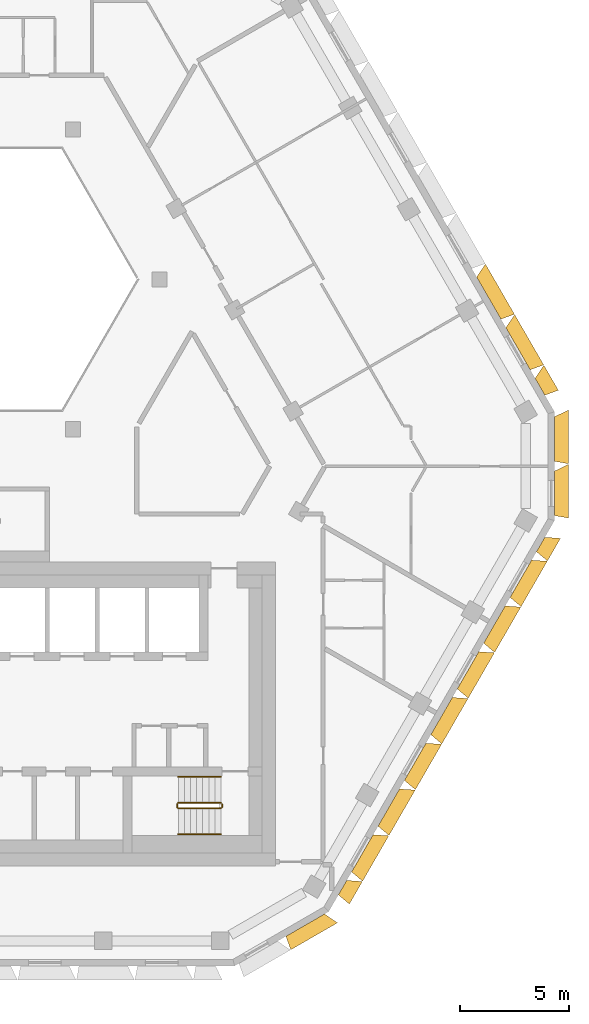
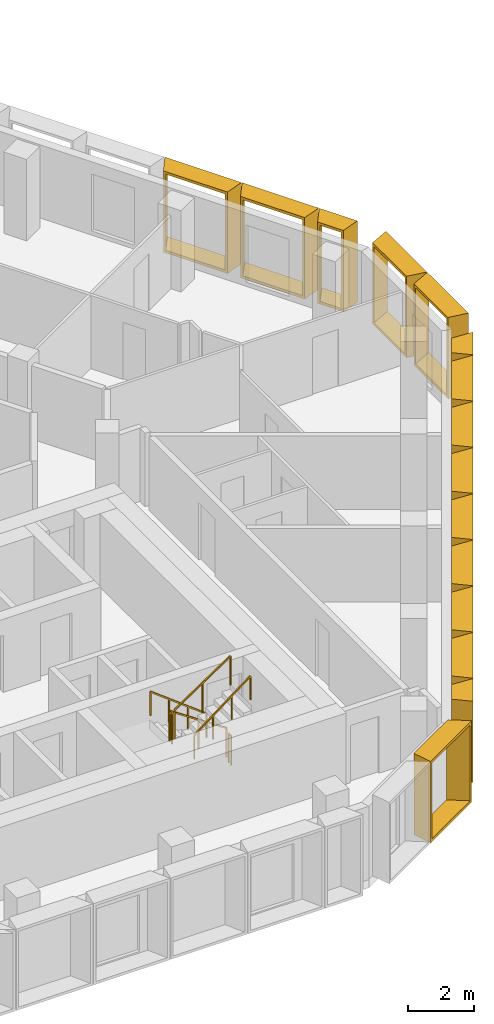
# One storey, part 14 of 15: 15 shading devices, 6 railings.
"""IFC4 building model written with IfcOpenShell, lengths in metres."""

from ifc_helpers import new_model, entity, si_unit, direction, frame, origin, origin_2d, place, context, subcontext, project, spatial, rectangle, extrude, source, transform, mapped, material, type_object, type_shapes, element, save


model = new_model("IFC4")

# Units and contexts
model_context = context("Model", 3, precision=1e-05, world=origin(), true_north=direction((0.0, 1.0)))
body_context = subcontext(model_context, "Body", "Model", "MODEL_VIEW")
ifc_project = project(units=[si_unit("LENGTHUNIT", "METRE"), si_unit("AREAUNIT", "SQUARE_METRE"), si_unit("VOLUMEUNIT", "CUBIC_METRE"), si_unit("PLANEANGLEUNIT", "RADIAN"), si_unit("MASSUNIT", "GRAM", prefix="KILO")], contexts=[model_context])

# Site, building, storey
site_placement = place(None, origin())
site = spatial("IfcSite", under=ifc_project, at=site_placement, CompositionType="ELEMENT")
building_placement = place(site_placement, origin())
building = spatial("IfcBuilding", under=site, at=building_placement, Name="Beryl Residences", CompositionType="ELEMENT")
storey_placement = place(building_placement, frame((0.0, 0.0, 175.199951171875)))
storey = spatial("IfcBuildingStorey", under=building, at=storey_placement, Name="L53", CompositionType="ELEMENT", Elevation=175.199951171875)

# Shading devices
ifc_material_1 = material(Name="Aluminium pale anodised", Category="aluminium")
shading_device_type_1 = type_object("IfcShadingDeviceType", Name="FR122-65C OUTER SKIN frame 650 mm deep, splay 10/26 deg, 1220 x 3000 mm cell", PredefinedType="USERDEFINED", material=ifc_material_1)
cartesian_point_1 = entity("IfcCartesianPoint", [-0.384033203125, 0.0])
cartesian_point_2 = entity("IfcCartesianPoint", [-0.302734375, 0.10009765625])
cartesian_point_3 = entity("IfcCartesianPoint", [-0.49853515625, 0.0])
cartesian_point_4 = entity("IfcCartesianPoint", [-0.41748046875, 0.10009765625])
shared_shape_1 = source(origin(), body_context, "Body", "SweptSolid", [
    entity("IfcExtrudedAreaSolidTapered", entity("IfcArbitraryProfileDefWithVoids", "AREA", None, entity("IfcPolyline", [cartesian_point_1, entity("IfcCartesianPoint", [0.384033203125, 0.0]), entity("IfcCartesianPoint", [0.384033203125, 3.0]), entity("IfcCartesianPoint", [-0.384033203125, 3.0]), cartesian_point_1]), [entity("IfcPolyline", [cartesian_point_2, entity("IfcCartesianPoint", [0.294921875, 0.10009765625]), entity("IfcCartesianPoint", [0.294921875, 2.89990234375]), entity("IfcCartesianPoint", [-0.302734375, 2.89990234375]), cartesian_point_2])]), entity("IfcAxis2Placement3D", entity("IfcCartesianPoint", [0.0, 0.0, 0.0]), entity("IfcDirection", [0.0, 1.0, 0.0]), entity("IfcDirection", [-1.0, 0.0, 0.0])), entity("IfcDirection", [0.0, 0.0, 1.0]), 0.64990234375, entity("IfcArbitraryProfileDefWithVoids", "AREA", None, entity("IfcPolyline", [cartesian_point_3, entity("IfcCartesianPoint", [0.700927734375, 0.0]), entity("IfcCartesianPoint", [0.700927734375, 3.0]), entity("IfcCartesianPoint", [-0.49853515625, 3.0]), cartesian_point_3]), [entity("IfcPolyline", [cartesian_point_4, entity("IfcCartesianPoint", [0.612060546875, 0.10009765625]), entity("IfcCartesianPoint", [0.612060546875, 2.89990234375]), entity("IfcCartesianPoint", [-0.41748046875, 2.89990234375]), cartesian_point_4])])),
])
type_shapes(shading_device_type_1, [shared_shape_1])
for number, where, z_axis, x_axis, name in (
    (1, (16.39697265625, -19.9990234375, 0.0), (0.0, 0.0, 1.0), (-0.5, -0.866025403784, 0.0), "FR122-65C frame L53 SE 1"),
    (2, (25.51611328125, -4.202880859375, 0.0), (0.0, 0.0, 1.0), (-0.5, -0.866025403784, 0.0), "FR122-65C frame L53 SE 9"),
):
    element("IfcShadingDevice", number, at=place(storey_placement, frame(where, z_axis=z_axis, x_axis=x_axis)), inside=storey, type_object=shading_device_type_1, Name=name, ObjectType="OUTER SKIN", PredefinedType="USERDEFINED", context=body_context, shape_type="MappedRepresentation", body=[
        mapped(shared_shape_1, transform((0.0, 0.0, 0.0))),
    ])
ifc_material_2 = material(Name="Aluminium pale anodised", Category="aluminium")
shading_device_type_2 = type_object("IfcShadingDeviceType", Name="FR135-65C OUTER SKIN frame 650 mm deep, splay 10/26 deg, 1350 x 3000 mm cell", PredefinedType="USERDEFINED", material=ifc_material_2)
cartesian_point_5 = entity("IfcCartesianPoint", [-0.448974609375, 0.0])
cartesian_point_6 = entity("IfcCartesianPoint", [-0.36767578125, 0.10009765625])
cartesian_point_7 = entity("IfcCartesianPoint", [-0.563720703125, 0.0])
cartesian_point_8 = entity("IfcCartesianPoint", [-0.482421875, 0.10009765625])
shared_shape_2 = source(origin(), body_context, "Body", "SweptSolid", [
    entity("IfcExtrudedAreaSolidTapered", entity("IfcArbitraryProfileDefWithVoids", "AREA", None, entity("IfcPolyline", [cartesian_point_5, entity("IfcCartesianPoint", [0.448974609375, 0.0]), entity("IfcCartesianPoint", [0.448974609375, 3.0]), entity("IfcCartesianPoint", [-0.448974609375, 3.0]), cartesian_point_5]), [entity("IfcPolyline", [cartesian_point_6, entity("IfcCartesianPoint", [0.360107421875, 0.10009765625]), entity("IfcCartesianPoint", [0.360107421875, 2.89990234375]), entity("IfcCartesianPoint", [-0.36767578125, 2.89990234375]), cartesian_point_6])]), entity("IfcAxis2Placement3D", entity("IfcCartesianPoint", [0.0, 0.0, 0.0]), entity("IfcDirection", [0.0, 1.0, 0.0]), entity("IfcDirection", [-1.0, 0.0, 0.0])), entity("IfcDirection", [0.0, 0.0, 1.0]), 0.64990234375, entity("IfcArbitraryProfileDefWithVoids", "AREA", None, entity("IfcPolyline", [cartesian_point_7, entity("IfcCartesianPoint", [0.76611328125, 0.0]), entity("IfcCartesianPoint", [0.76611328125, 3.0]), entity("IfcCartesianPoint", [-0.563720703125, 3.0]), cartesian_point_7]), [entity("IfcPolyline", [cartesian_point_8, entity("IfcCartesianPoint", [0.677001953125, 0.10009765625]), entity("IfcCartesianPoint", [0.677001953125, 2.89990234375]), entity("IfcCartesianPoint", [-0.482421875, 2.89990234375]), cartesian_point_8])])),
])
type_shapes(shading_device_type_2, [shared_shape_2])
shading_device_placement = place(storey_placement, frame((25.485107421875, 3.056884765625, 0.0), z_axis=(0.0, 0.0, 1.0), x_axis=(0.5, -0.866025403784, 0.0)))
element("IfcShadingDevice", 3, at=shading_device_placement, inside=storey, type_object=shading_device_type_2, Name="FR135-65C frame L53 NE 1", ObjectType="OUTER SKIN", PredefinedType="USERDEFINED", context=body_context, shape_type="MappedRepresentation", body=[
    mapped(shared_shape_2, transform((0.0, 0.0, 0.0))),
])
ifc_material_3 = material(Name="Aluminium pale anodised", Category="aluminium")
shading_device_type_3 = type_object("IfcShadingDeviceType", Name="FR243-65C OUTER SKIN frame 650 mm deep, splay 10/26 deg, 2430 x 3000 mm cell", PredefinedType="USERDEFINED", material=ifc_material_3)
cartesian_point_9 = entity("IfcCartesianPoint", [-0.989013671875, 0.0])
cartesian_point_10 = entity("IfcCartesianPoint", [-0.90771484375, 0.10009765625])
cartesian_point_11 = entity("IfcCartesianPoint", [-1.103515625, 0.0])
cartesian_point_12 = entity("IfcCartesianPoint", [-1.0224609375, 0.10009765625])
shared_shape_3 = source(origin(), body_context, "Body", "SweptSolid", [
    entity("IfcExtrudedAreaSolidTapered", entity("IfcArbitraryProfileDefWithVoids", "AREA", None, entity("IfcPolyline", [cartesian_point_9, entity("IfcCartesianPoint", [0.989013671875, 0.0]), entity("IfcCartesianPoint", [0.989013671875, 3.0]), entity("IfcCartesianPoint", [-0.989013671875, 3.0]), cartesian_point_9]), [entity("IfcPolyline", [cartesian_point_10, entity("IfcCartesianPoint", [0.89990234375, 0.10009765625]), entity("IfcCartesianPoint", [0.89990234375, 2.89990234375]), entity("IfcCartesianPoint", [-0.90771484375, 2.89990234375]), cartesian_point_10])]), entity("IfcAxis2Placement3D", entity("IfcCartesianPoint", [0.0, 0.0, 0.0]), entity("IfcDirection", [0.0, 1.0, 0.0]), entity("IfcDirection", [-1.0, 0.0, 0.0])), entity("IfcDirection", [0.0, 0.0, 1.0]), 0.64990234375, entity("IfcArbitraryProfileDefWithVoids", "AREA", None, entity("IfcPolyline", [cartesian_point_11, entity("IfcCartesianPoint", [1.305908203125, 0.0]), entity("IfcCartesianPoint", [1.305908203125, 3.0]), entity("IfcCartesianPoint", [-1.103515625, 3.0]), cartesian_point_11]), [entity("IfcPolyline", [cartesian_point_12, entity("IfcCartesianPoint", [1.217041015625, 0.10009765625]), entity("IfcCartesianPoint", [1.217041015625, 2.89990234375]), entity("IfcCartesianPoint", [-1.0224609375, 2.89990234375]), cartesian_point_12])])),
])
type_shapes(shading_device_type_3, [shared_shape_3])
for number, where, z_axis, x_axis, name in (
    (4, (17.30908203125, -18.4189453125, 0.0), (0.0, 0.0, 1.0), (-0.5, -0.866025403784, 0.0), "FR243-65C frame L53 SE 2"),
    (5, (18.52490234375, -16.31298828125, 0.0), (0.0, 0.0, 1.0), (-0.5, -0.866025403784, 0.0), "FR243-65C frame L53 SE 3"),
    (6, (19.740966796875, -14.20703125, 0.0), (0.0, 0.0, 1.0), (-0.5, -0.866025403784, 0.0), "FR243-65C frame L53 SE 4"),
    (7, (20.95703125, -12.10107421875, 0.0), (0.0, 0.0, 1.0), (-0.5, -0.866025403784, 0.0), "FR243-65C frame L53 SE 5"),
    (8, (22.172119140625, -9.9951171875, 0.0), (0.0, 0.0, 1.0), (-0.5, -0.866025403784, 0.0), "FR243-65C frame L53 SE 6"),
    (9, (23.387939453125, -7.888916015625, 0.0), (0.0, 0.0, 1.0), (-0.5, -0.866025403784, 0.0), "FR243-65C frame L53 SE 7"),
    (10, (24.60400390625, -5.781982421875, 0.0), (0.0, 0.0, 1.0), (-0.5, -0.866025403784, 0.0), "FR243-65C frame L53 SE 8"),
):
    element("IfcShadingDevice", number, at=place(storey_placement, frame(where, z_axis=z_axis, x_axis=x_axis)), inside=storey, type_object=shading_device_type_3, Name=name, ObjectType="OUTER SKIN", PredefinedType="USERDEFINED", context=body_context, shape_type="MappedRepresentation", body=[
        mapped(shared_shape_3, transform((0.0, 0.0, 0.0))),
    ])
ifc_material_4 = material(Name="Aluminium pale anodised", Category="aluminium")
shading_device_type_4 = type_object("IfcShadingDeviceType", Name="FR250-65C OUTER SKIN frame 650 mm deep, splay 10/26 deg, 2500 x 3000 mm cell", PredefinedType="USERDEFINED", material=ifc_material_4)
cartesian_point_13 = entity("IfcCartesianPoint", [-1.02392578125, 0.0])
cartesian_point_14 = entity("IfcCartesianPoint", [-0.94287109375, 0.10009765625])
cartesian_point_15 = entity("IfcCartesianPoint", [-1.138671875, 0.0])
cartesian_point_16 = entity("IfcCartesianPoint", [-1.057373046875, 0.10009765625])
shared_shape_4 = source(origin(), body_context, "Body", "SweptSolid", [
    entity("IfcExtrudedAreaSolidTapered", entity("IfcArbitraryProfileDefWithVoids", "AREA", None, entity("IfcPolyline", [cartesian_point_13, entity("IfcCartesianPoint", [1.02392578125, 0.0]), entity("IfcCartesianPoint", [1.02392578125, 3.0]), entity("IfcCartesianPoint", [-1.02392578125, 3.0]), cartesian_point_13]), [entity("IfcPolyline", [cartesian_point_14, entity("IfcCartesianPoint", [0.93505859375, 0.10009765625]), entity("IfcCartesianPoint", [0.93505859375, 2.89990234375]), entity("IfcCartesianPoint", [-0.94287109375, 2.89990234375]), cartesian_point_14])]), entity("IfcAxis2Placement3D", entity("IfcCartesianPoint", [0.0, 0.0, 0.0]), entity("IfcDirection", [0.0, 1.0, 0.0]), entity("IfcDirection", [-1.0, 0.0, 0.0])), entity("IfcDirection", [0.0, 0.0, 1.0]), 0.64990234375, entity("IfcArbitraryProfileDefWithVoids", "AREA", None, entity("IfcPolyline", [cartesian_point_15, entity("IfcCartesianPoint", [1.341064453125, 0.0]), entity("IfcCartesianPoint", [1.341064453125, 3.0]), entity("IfcCartesianPoint", [-1.138671875, 3.0]), cartesian_point_15]), [entity("IfcPolyline", [cartesian_point_16, entity("IfcCartesianPoint", [1.251953125, 0.10009765625]), entity("IfcCartesianPoint", [1.251953125, 2.89990234375]), entity("IfcCartesianPoint", [-1.057373046875, 2.89990234375]), cartesian_point_16])])),
])
type_shapes(shading_device_type_4, [shared_shape_4])
for number, where, z_axis, x_axis, name in (
    (11, (14.677978515625, -21.72509765625, 0.0), (0.0, 0.0, 1.0), (-0.866025403784, -0.5, 0.0), "FR250-65C frame L53 S-SE 2"),
    (12, (26.154052734375, -1.85009765625, 0.0), (0.0, 0.0, 1.0), (0.0, -1.0, 0.0), "FR250-65C frame L53 SE-NE 1"),
    (13, (26.154052734375, 0.64990234375, 0.0), (0.0, 0.0, 1.0), (0.0, -1.0, 0.0), "FR250-65C frame L53 SE-NE 2"),
):
    element("IfcShadingDevice", number, at=place(storey_placement, frame(where, z_axis=z_axis, x_axis=x_axis)), inside=storey, type_object=shading_device_type_4, Name=name, ObjectType="OUTER SKIN", PredefinedType="USERDEFINED", context=body_context, shape_type="MappedRepresentation", body=[
        mapped(shared_shape_4, transform((0.0, 0.0, 0.0))),
    ])
ifc_material_5 = material(Name="Aluminium pale anodised", Category="aluminium")
shading_device_type_5 = type_object("IfcShadingDeviceType", Name="FR269-65C OUTER SKIN frame 650 mm deep, splay 10/26 deg, 2690 x 3000 mm cell", PredefinedType="USERDEFINED", material=ifc_material_5)
cartesian_point_17 = entity("IfcCartesianPoint", [-1.118896484375, 0.0])
cartesian_point_18 = entity("IfcCartesianPoint", [-1.037841796875, 0.10009765625])
cartesian_point_19 = entity("IfcCartesianPoint", [-1.233642578125, 0.0])
cartesian_point_20 = entity("IfcCartesianPoint", [-1.15234375, 0.10009765625])
shared_shape_5 = source(origin(), body_context, "Body", "SweptSolid", [
    entity("IfcExtrudedAreaSolidTapered", entity("IfcArbitraryProfileDefWithVoids", "AREA", None, entity("IfcPolyline", [cartesian_point_17, entity("IfcCartesianPoint", [1.118896484375, 0.0]), entity("IfcCartesianPoint", [1.118896484375, 3.0]), entity("IfcCartesianPoint", [-1.118896484375, 3.0]), cartesian_point_17]), [entity("IfcPolyline", [cartesian_point_18, entity("IfcCartesianPoint", [1.030029296875, 0.10009765625]), entity("IfcCartesianPoint", [1.030029296875, 2.89990234375]), entity("IfcCartesianPoint", [-1.037841796875, 2.89990234375]), cartesian_point_18])]), entity("IfcAxis2Placement3D", entity("IfcCartesianPoint", [0.0, 0.0, 0.0]), entity("IfcDirection", [0.0, 1.0, 0.0]), entity("IfcDirection", [-1.0, 0.0, 0.0])), entity("IfcDirection", [0.0, 0.0, 1.0]), 0.64990234375, entity("IfcArbitraryProfileDefWithVoids", "AREA", None, entity("IfcPolyline", [cartesian_point_19, entity("IfcCartesianPoint", [1.43603515625, 0.0]), entity("IfcCartesianPoint", [1.43603515625, 3.0]), entity("IfcCartesianPoint", [-1.233642578125, 3.0]), cartesian_point_19]), [entity("IfcPolyline", [cartesian_point_20, entity("IfcCartesianPoint", [1.346923828125, 0.10009765625]), entity("IfcCartesianPoint", [1.346923828125, 2.89990234375]), entity("IfcCartesianPoint", [-1.15234375, 2.89990234375]), cartesian_point_20])])),
])
type_shapes(shading_device_type_5, [shared_shape_5])
for number, where, z_axis, x_axis, name in (
    (14, (24.47607421875, 4.805908203125, 0.0), (0.0, 0.0, 1.0), (0.5, -0.866025403784, 0.0), "FR269-65C frame L53 NE 2"),
    (15, (23.1298828125, 7.136962890625, 0.0), (0.0, 0.0, 1.0), (0.5, -0.866025403784, 0.0), "FR269-65C frame L53 NE 3"),
):
    element("IfcShadingDevice", number, at=place(storey_placement, frame(where, z_axis=z_axis, x_axis=x_axis)), inside=storey, type_object=shading_device_type_5, Name=name, ObjectType="OUTER SKIN", PredefinedType="USERDEFINED", context=body_context, shape_type="MappedRepresentation", body=[
        mapped(shared_shape_5, transform((0.0, 0.0, 0.0))),
    ])

# Railings
ifc_material_6 = material(Name="Stainless steel balustrade with glass infill", Category="steel")
railing_type_1 = type_object("IfcRailingType", Name="SG1 stair guard 1100 mm", PredefinedType="GUARDRAIL", material=ifc_material_6)
railing_1_placement = place(storey_placement, frame((10.800048828125, -16.10009765625, 0.1875)))
element("IfcRailing", 16, at=railing_1_placement, inside=storey, type_object=railing_type_1, Name="L53 ST-3 stair guard 1", PredefinedType="GUARDRAIL", context=body_context, shape_type="SweptSolid", body=[
    extrude(rectangle(XDim=0.048095703125, YDim=0.048095703125, at=origin_2d()), frame((0.0, 0.0, 1.076171875), z_axis=(-0.830902050051, 0.0, 0.556418712142), x_axis=(0.0, -1.0, 0.0)), (0.0, 0.0, 1.0), 2.35888671875),
    extrude(rectangle(XDim=0.0419921875, YDim=0.0419921875, at=origin_2d()), origin(), (0.0, 0.0, 1.0), 1.052001953125),
    extrude(rectangle(XDim=0.0419921875, YDim=0.0419921875, at=origin_2d()), frame((-0.97998046875, 0.0, 0.65625)), (0.0, 0.0, 1.0), 1.052001953125),
    extrude(rectangle(XDim=0.0419921875, YDim=0.0419921875, at=origin_2d()), frame((-1.9599609375, 0.0, 1.3125)), (0.0, 0.0, 1.0), 1.052001953125),
])
railing_2_placement = place(storey_placement, frame((8.7900390625, -16.14990234375, 1.5)))
element("IfcRailing", 17, at=railing_2_placement, inside=storey, type_object=railing_type_1, Name="L53 ST-3 stair guard 2", PredefinedType="GUARDRAIL", context=body_context, shape_type="SweptSolid", body=[
    extrude(rectangle(XDim=0.048095703125, YDim=0.048095703125, at=origin_2d()), frame((0.0, 0.0, 1.076171875), z_axis=(0.0, -1.0, 0.0), x_axis=(1.0, 0.0, 0.0)), (0.0, 0.0, 1.0), 0.150146484375),
    extrude(rectangle(XDim=0.0419921875, YDim=0.0419921875, at=origin_2d()), origin(), (0.0, 0.0, 1.0), 1.052001953125),
    extrude(rectangle(XDim=0.0419921875, YDim=0.0419921875, at=origin_2d()), frame((0.0, -0.150146484375, 0.0)), (0.0, 0.0, 1.0), 1.052001953125),
])
railing_3_placement = place(storey_placement, frame((8.840087890625, -16.35009765625, 1.6875)))
element("IfcRailing", 18, at=railing_3_placement, inside=storey, type_object=railing_type_1, Name="L53 ST-3 stair guard 3", PredefinedType="GUARDRAIL", context=body_context, shape_type="SweptSolid", body=[
    extrude(rectangle(XDim=0.048095703125, YDim=0.048095703125, at=origin_2d()), frame((0.0, 0.0, 1.076171875), z_axis=(0.830902050051, 0.0, 0.556418712142), x_axis=(0.0, 1.0, 0.0)), (0.0, 0.0, 1.0), 2.35888671875),
    extrude(rectangle(XDim=0.0419921875, YDim=0.0419921875, at=origin_2d()), origin(), (0.0, 0.0, 1.0), 1.052001953125),
    extrude(rectangle(XDim=0.0419921875, YDim=0.0419921875, at=origin_2d()), frame((0.97998046875, 0.0, 0.65625)), (0.0, 0.0, 1.0), 1.052001953125),
    extrude(rectangle(XDim=0.0419921875, YDim=0.0419921875, at=origin_2d()), frame((1.9599609375, 0.0, 1.3125)), (0.0, 0.0, 1.0), 1.052001953125),
])
railing_4_placement = place(storey_placement, frame((10.85009765625, -16.14990234375, 0.0)))
element("IfcRailing", 19, at=railing_4_placement, inside=storey, type_object=railing_type_1, Name="L53 ST-3 stair guard 4", PredefinedType="GUARDRAIL", context=body_context, shape_type="SweptSolid", body=[
    extrude(rectangle(XDim=0.048095703125, YDim=0.048095703125, at=origin_2d()), frame((0.0, 0.0, 1.076171875), z_axis=(0.0, -1.0, 0.0), x_axis=(1.0, 0.0, 0.0)), (0.0, 0.0, 1.0), 0.150146484375),
    extrude(rectangle(XDim=0.0419921875, YDim=0.0419921875, at=origin_2d()), origin(), (0.0, 0.0, 1.0), 1.052001953125),
    extrude(rectangle(XDim=0.0419921875, YDim=0.0419921875, at=origin_2d()), frame((0.0, -0.150146484375, 0.0)), (0.0, 0.0, 1.0), 1.052001953125),
])
ifc_material_7 = material(Name="Stainless steel handrail", Category="steel")
railing_type_2 = type_object("IfcRailingType", Name="SRL1 stair handrail 900 mm", PredefinedType="HANDRAIL", material=ifc_material_7)
railing_5_placement = place(storey_placement, frame((10.800048828125, -14.89990234375, 0.1875)))
element("IfcRailing", 20, at=railing_5_placement, inside=storey, type_object=railing_type_2, Name="L53 ST-3 stair handrail 1", PredefinedType="HANDRAIL", context=body_context, shape_type="SweptSolid", body=[
    extrude(rectangle(XDim=0.048095703125, YDim=0.048095703125, at=origin_2d()), frame((0.0, 0.0, 0.8759765625), z_axis=(-0.794121922505, 0.0, 0.607758481798), x_axis=(0.0, -1.0, 0.0)), (0.0, 0.0, 1.0), 2.468017578125),
    extrude(rectangle(XDim=0.0419921875, YDim=0.0419921875, at=origin_2d()), origin(), (0.0, 0.0, 1.0), 0.851806640625),
    extrude(rectangle(XDim=0.0419921875, YDim=0.0419921875, at=origin_2d()), frame((-0.6533203125, 0.0, 0.5)), (0.0, 0.0, 1.0), 0.851806640625),
    extrude(rectangle(XDim=0.0419921875, YDim=0.0419921875, at=origin_2d()), frame((-1.306640625, 0.0, 1.0)), (0.0, 0.0, 1.0), 0.851806640625),
    extrude(rectangle(XDim=0.0419921875, YDim=0.0419921875, at=origin_2d()), frame((-1.9599609375, 0.0, 1.5)), (0.0, 0.0, 1.0), 0.851806640625),
])
railing_6_placement = place(storey_placement, frame((8.840087890625, -17.550048828125, 1.6875)))
element("IfcRailing", 21, at=railing_6_placement, inside=storey, type_object=railing_type_2, Name="L53 ST-3 stair handrail 2", PredefinedType="HANDRAIL", context=body_context, shape_type="SweptSolid", body=[
    extrude(rectangle(XDim=0.048095703125, YDim=0.048095703125, at=origin_2d()), frame((0.0, 0.0, 0.8759765625), z_axis=(0.794121922505, 0.0, 0.607758481798), x_axis=(0.0, 1.0, 0.0)), (0.0, 0.0, 1.0), 2.468017578125),
    extrude(rectangle(XDim=0.0419921875, YDim=0.0419921875, at=origin_2d()), origin(), (0.0, 0.0, 1.0), 0.851806640625),
    extrude(rectangle(XDim=0.0419921875, YDim=0.0419921875, at=origin_2d()), frame((0.6533203125, 0.0, 0.5)), (0.0, 0.0, 1.0), 0.851806640625),
    extrude(rectangle(XDim=0.0419921875, YDim=0.0419921875, at=origin_2d()), frame((1.306640625, 0.0, 1.0)), (0.0, 0.0, 1.0), 0.851806640625),
    extrude(rectangle(XDim=0.0419921875, YDim=0.0419921875, at=origin_2d()), frame((1.9599609375, 0.0, 1.5)), (0.0, 0.0, 1.0), 0.851806640625),
])

save(model, "model.ifc")
